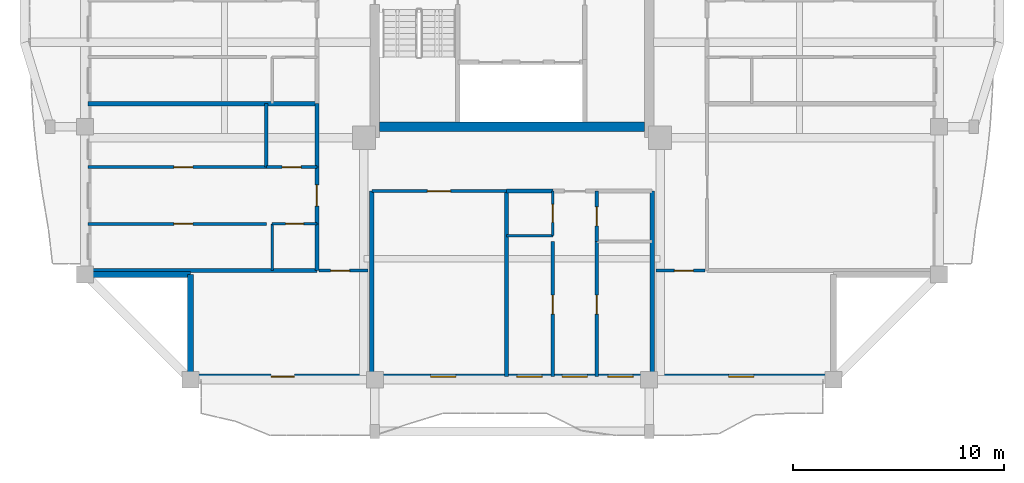
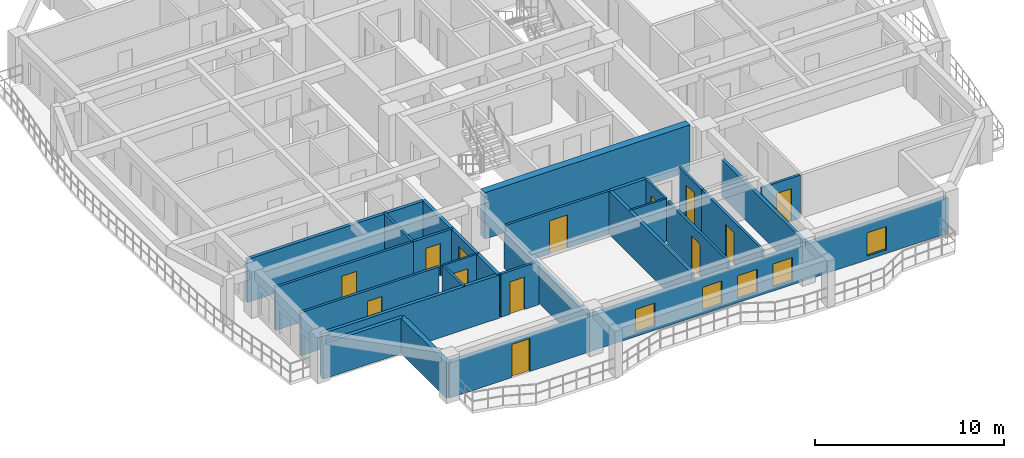
# One storey, part 2 of 13: 27 walls, 13 doors, 5 windows, 18 openings.
"""IFC4 building model written with IfcOpenShell, lengths in metres."""

from ifc_helpers import new_model, si_unit, direction, frame, frame_2d, origin, place, context, subcontext, project, spatial, rectangle, extrude, source, transform, mapped, material, layer, layer_set, type_object, element, fill, save


model = new_model("IFC4")

# Units and contexts
model_context = context("Model", 3, precision=1e-05, world=origin(), true_north=direction((0.0, 1.0)))
body_context = subcontext(model_context, "Body", "Model", "MODEL_VIEW")
ifc_project = project(units=[si_unit("LENGTHUNIT", "METRE"), si_unit("AREAUNIT", "SQUARE_METRE"), si_unit("VOLUMEUNIT", "CUBIC_METRE"), si_unit("PLANEANGLEUNIT", "RADIAN"), si_unit("MASSUNIT", "GRAM", prefix="KILO")], contexts=[model_context])

# Site, building, storey
site_placement = place(None, origin())
site = spatial("IfcSite", under=ifc_project, at=site_placement, CompositionType="ELEMENT")
building_placement = place(site_placement, origin())
building = spatial("IfcBuilding", under=site, at=building_placement, Name="Saelheon Loggia Tower", CompositionType="ELEMENT")
storey_placement = place(building_placement, frame((0.0, 0.0, 189.699951171875)))
storey = spatial("IfcBuildingStorey", under=building, at=storey_placement, Name="L59", CompositionType="ELEMENT", Elevation=189.699951171875)

# Wall
ifc_material_1 = material(Name="Concrete C45/55", Category="concrete")
ifc_layer_1 = layer(ifc_material_1, 0.449951171875)
ifc_layer_set_1 = layer_set([ifc_layer_1], Name="Concrete C45/55")
wall_type_1 = type_object("IfcWallType", Name="Wall_CoreShear_450", PredefinedType="SHEAR", material=ifc_layer_set_1)
wall_1_placement = place(storey_placement, frame((31.72509765625, 18.0, 0.0), z_axis=(0.0, 0.0, 1.0), x_axis=(1.0, 0.0, 0.0)))
element("IfcWall", 1, at=wall_1_placement, inside=storey, type_object=wall_type_1, Name="L59 Core Shear Wall South", PredefinedType="SHEAR", context=body_context, shape_type="SweptSolid", body=[
    extrude(rectangle(XDim=12.5498046875, YDim=0.449951171875, at=frame_2d((6.27490234375, 0.0))), origin(), (0.0, 0.0, 1.0), 3.0),
])

# Wall, openings, windows, door
ifc_material_2 = material(Name="Architectural Precast Concrete C40/50", Category="concrete")
ifc_layer_2 = layer(ifc_material_2, 0.280029296875)
ifc_layer_set_2 = layer_set([ifc_layer_2], Name="Architectural Precast Concrete C40/50")
wall_type_2 = type_object("IfcWallType", Name="Wall_Ext_Loggia_280", PredefinedType="SOLIDWALL", material=ifc_layer_set_2)
wall_2_placement = place(storey_placement, frame((22.75, 6.139892578125, 0.0), z_axis=(0.0, 0.0, 1.0), x_axis=(1.0, 0.0, 0.0)))
wall_2 = element("IfcWall", 2, at=wall_2_placement, inside=storey, type_object=wall_type_2, Name="L59 South Loggia Inner Wall", PredefinedType="SOLIDWALL", context=body_context, shape_type="SweptSolid", body=[
    extrude(rectangle(XDim=30.5, YDim=0.280029296875, at=frame_2d((15.25, 0.0))), origin(), (0.0, 0.0, 1.0), 2.280029296875),
])
opening_1_placement = place(wall_2_placement, frame((4.925048828125, 0.0, 0.0), z_axis=(0.0, 0.0, 1.0), x_axis=(-1.0, 0.0, 0.0)))
opening_1 = element("IfcOpeningElement", 3, at=opening_1_placement, cuts=wall_2, Name="Opening TD1", PredefinedType="OPENING", context=body_context, shape_type="SweptSolid", body=[
    extrude(rectangle(XDim=1.10009765625, YDim=2.14990234375, at=frame_2d((0.550048828125, 1.074951171875))), frame((0.0, 0.152099609375, 0.0), z_axis=(0.0, -1.0, 0.0), x_axis=(1.0, 0.0, 0.0)), (0.0, 0.0, 1.0), 0.303955078125),
])
opening_2_placement = place(wall_2_placement, frame((11.386962890625, 0.0, 0.25)))
opening_2 = element("IfcOpeningElement", 4, at=opening_2_placement, cuts=wall_2, Name="Opening WN-03", PredefinedType="OPENING", context=body_context, shape_type="SweptSolid", body=[
    extrude(rectangle(XDim=1.199951171875, YDim=1.5, at=frame_2d((0.60009765625, 0.75))), frame((0.0, 0.152099609375, 0.0), z_axis=(0.0, -1.0, 0.0), x_axis=(1.0, 0.0, 0.0)), (0.0, 0.0, 1.0), 0.303955078125),
])
opening_3_placement = place(wall_2_placement, frame((15.48388671875, 0.0, 0.25)))
opening_3 = element("IfcOpeningElement", 5, at=opening_3_placement, cuts=wall_2, Name="Opening WN-03", PredefinedType="OPENING", context=body_context, shape_type="SweptSolid", body=[
    extrude(rectangle(XDim=1.199951171875, YDim=1.5, at=frame_2d((0.60009765625, 0.75))), frame((0.0, 0.152099609375, 0.0), z_axis=(0.0, -1.0, 0.0), x_axis=(1.0, 0.0, 0.0)), (0.0, 0.0, 1.0), 0.303955078125),
])
opening_4_placement = place(wall_2_placement, frame((17.6279296875, 0.0, 0.25)))
opening_4 = element("IfcOpeningElement", 6, at=opening_4_placement, cuts=wall_2, Name="Opening WN-03", PredefinedType="OPENING", context=body_context, shape_type="SweptSolid", body=[
    extrude(rectangle(XDim=1.199951171875, YDim=1.5, at=frame_2d((0.60009765625, 0.75))), frame((0.0, 0.152099609375, 0.0), z_axis=(0.0, -1.0, 0.0), x_axis=(1.0, 0.0, 0.0)), (0.0, 0.0, 1.0), 0.303955078125),
])
opening_5_placement = place(wall_2_placement, frame((19.791015625, 0.0, 0.25)))
opening_5 = element("IfcOpeningElement", 7, at=opening_5_placement, cuts=wall_2, Name="Opening WN-03", PredefinedType="OPENING", context=body_context, shape_type="SweptSolid", body=[
    extrude(rectangle(XDim=1.199951171875, YDim=1.5, at=frame_2d((0.60009765625, 0.75))), frame((0.0, 0.152099609375, 0.0), z_axis=(0.0, -1.0, 0.0), x_axis=(1.0, 0.0, 0.0)), (0.0, 0.0, 1.0), 0.303955078125),
])
opening_6_placement = place(wall_2_placement, frame((25.52490234375, 0.0, 0.25)))
opening_6 = element("IfcOpeningElement", 8, at=opening_6_placement, cuts=wall_2, Name="Opening WN-03", PredefinedType="OPENING", context=body_context, shape_type="SweptSolid", body=[
    extrude(rectangle(XDim=1.199951171875, YDim=1.5, at=frame_2d((0.60009765625, 0.75))), frame((0.0, 0.152099609375, 0.0), z_axis=(0.0, -1.0, 0.0), x_axis=(1.0, 0.0, 0.0)), (0.0, 0.0, 1.0), 0.303955078125),
])
ifc_material_3 = material(Name="Thermal-Break Aluminium and Triple Low-E Glass", Category="aluminium")
window_type = type_object("IfcWindowType", Name="Win_Bedroom_1200x1500", PartitioningType="SINGLE_PANEL", PredefinedType="WINDOW", material=ifc_material_3)
shared_shape_1 = source(origin(), body_context, "Body", "SweptSolid", [
    extrude(rectangle(XDim=1.199951171875, YDim=1.5, at=frame_2d((0.60009765625, 0.75))), frame((0.0, 0.030029296875, 0.0), z_axis=(0.0, -1.0, 0.0), x_axis=(1.0, 0.0, 0.0)), (0.0, 0.0, 1.0), 0.06005859375),
])
window_1_placement = place(opening_2_placement, origin())
window_1 = element("IfcWindow", 9, at=window_1_placement, inside=storey, type_object=window_type, Name="L59 S Dwelling Window 2", OverallHeight=1.5, OverallWidth=1.199951171875, PartitioningType="SINGLE_PANEL", PredefinedType="WINDOW", context=body_context, shape_type="MappedRepresentation", body=[
    mapped(shared_shape_1, transform((0.0, 0.0, 0.0), scale=1.0)),
])
fill(opening_2, window_1)
window_2_placement = place(opening_3_placement, origin())
window_2 = element("IfcWindow", 10, at=window_2_placement, inside=storey, type_object=window_type, Name="L59 S Dwelling Window 3", OverallHeight=1.5, OverallWidth=1.199951171875, PartitioningType="SINGLE_PANEL", PredefinedType="WINDOW", context=body_context, shape_type="MappedRepresentation", body=[
    mapped(shared_shape_1, transform((0.0, 0.0, 0.0), scale=1.0)),
])
fill(opening_3, window_2)
window_3_placement = place(opening_4_placement, origin())
window_3 = element("IfcWindow", 11, at=window_3_placement, inside=storey, type_object=window_type, Name="L59 S Dwelling Window 4", OverallHeight=1.5, OverallWidth=1.199951171875, PartitioningType="SINGLE_PANEL", PredefinedType="WINDOW", context=body_context, shape_type="MappedRepresentation", body=[
    mapped(shared_shape_1, transform((0.0, 0.0, 0.0), scale=1.0)),
])
fill(opening_4, window_3)
window_4_placement = place(opening_5_placement, origin())
window_4 = element("IfcWindow", 12, at=window_4_placement, inside=storey, type_object=window_type, Name="L59 S Dwelling Window 5", OverallHeight=1.5, OverallWidth=1.199951171875, PartitioningType="SINGLE_PANEL", PredefinedType="WINDOW", context=body_context, shape_type="MappedRepresentation", body=[
    mapped(shared_shape_1, transform((0.0, 0.0, 0.0), scale=1.0)),
])
fill(opening_5, window_4)
window_5_placement = place(opening_6_placement, origin())
window_5 = element("IfcWindow", 13, at=window_5_placement, inside=storey, type_object=window_type, Name="L59 S Dwelling Window 6", OverallHeight=1.5, OverallWidth=1.199951171875, PartitioningType="SINGLE_PANEL", PredefinedType="WINDOW", context=body_context, shape_type="MappedRepresentation", body=[
    mapped(shared_shape_1, transform((0.0, 0.0, 0.0), scale=1.0)),
])
fill(opening_6, window_5)
ifc_material_4 = material(Name="Thermal-Break Aluminium Glazed Door", Category="aluminium")
door_type_1 = type_object("IfcDoorType", Name="Door_Terrace_TD1", OperationType="NOTDEFINED", PredefinedType="DOOR", material=ifc_material_4)
shared_shape_2 = source(origin(), body_context, "Body", "SweptSolid", [
    extrude(rectangle(XDim=1.10009765625, YDim=2.14990234375, at=frame_2d((0.550048828125, 1.074951171875))), frame((0.0, 0.02490234375, 0.0), z_axis=(0.0, -1.0, 0.0), x_axis=(1.0, 0.0, 0.0)), (0.0, 0.0, 1.0), 0.050048828125),
])
door_1_placement = place(opening_1_placement, origin())
door_1 = element("IfcDoor", 14, at=door_1_placement, inside=storey, type_object=door_type_1, Name="L59 S Loggia Access Door", OperationType="SINGLE_SWING_LEFT", OverallHeight=2.14990234375, OverallWidth=1.10009765625, PredefinedType="DOOR", context=body_context, shape_type="MappedRepresentation", body=[
    mapped(shared_shape_2, transform((0.0, 0.0, 0.0), scale=1.0)),
])
fill(opening_1, door_1)

# Walls
for number, where, z_axis, x_axis, name in (
    (15, (22.75, 6.080078125, 0.0), (0.0, 0.0, 1.0), (0.0, 1.0, 0.0), "L59 Corner Notch Precast Wall SW1"),
    (16, (17.830078125, 11.0, 0.0), (0.0, 0.0, 1.0), (1.0, 0.0, 0.0), "L59 Corner Notch Precast Wall SW2"),
):
    element("IfcWall", number, at=place(storey_placement, frame(where, z_axis=z_axis, x_axis=x_axis)), inside=storey, type_object=wall_type_2, Name=name, PredefinedType="SOLIDWALL", context=body_context, shape_type="SweptSolid", body=[
        extrude(rectangle(XDim=4.919921875, YDim=0.280029296875, at=frame_2d((2.4599609375, 0.0))), origin(), (0.0, 0.0, 1.0), 2.280029296875),
    ])

# Wall, opening, door
ifc_material_5 = material(Name="Lightweight Autoclaved Aerated Concrete Block and Acoustic Gypsum", Category="concrete")
ifc_layer_3 = layer(ifc_material_5, 0.14990234375)
ifc_layer_set_3 = layer_set([ifc_layer_3], Name="Lightweight Autoclaved Aerated Concrete Block and Acoustic Gypsum")
wall_type_3 = type_object("IfcWallType", Name="Wall_Part_150", PredefinedType="PARTITIONING", material=ifc_layer_set_3)
wall_3_placement = place(storey_placement, frame((28.85009765625, 11.179931640625, 0.0), z_axis=(0.0, 0.0, 1.0), x_axis=(1.0, 0.0, 0.0)))
wall_3 = element("IfcWall", 17, at=wall_3_placement, inside=storey, type_object=wall_type_3, Name="PW-L59-CSW-H", PredefinedType="PARTITIONING", context=body_context, shape_type="SweptSolid", body=[
    extrude(rectangle(XDim=2.329833984375, YDim=0.14990234375, at=frame_2d((1.1650390625, 0.0))), origin(), (0.0, 0.0, 1.0), 2.7900390625),
])
opening_7_placement = place(wall_3_placement, frame((0.550048828125, 0.0, 0.0)))
opening_7 = element("IfcOpeningElement", 18, at=opening_7_placement, cuts=wall_3, Name="Opening D-IN2", PredefinedType="OPENING", context=body_context, shape_type="SweptSolid", body=[
    extrude(rectangle(XDim=0.89990234375, YDim=2.10009765625, at=frame_2d((0.449951171875, 1.050048828125))), frame((0.0, 0.0869140625, 0.0), z_axis=(0.0, -1.0, 0.0), x_axis=(1.0, 0.0, 0.0)), (0.0, 0.0, 1.0), 0.173828125),
])
ifc_material_6 = material(Name="Engineered Oak Flush Door", Category="timber")
door_type_2 = type_object("IfcDoorType", Name="Door_Int_900", OperationType="NOTDEFINED", PredefinedType="DOOR", material=ifc_material_6)
shared_shape_3 = source(origin(), body_context, "Body", "SweptSolid", [
    extrude(rectangle(XDim=0.89990234375, YDim=2.10009765625, at=frame_2d((0.449951171875, 1.050048828125))), frame((0.0, 0.02490234375, 0.0), z_axis=(0.0, -1.0, 0.0), x_axis=(1.0, 0.0, 0.0)), (0.0, 0.0, 1.0), 0.050048828125),
])
door_2_placement = place(opening_7_placement, origin())
door_2 = element("IfcDoor", 19, at=door_2_placement, inside=storey, type_object=door_type_2, Name="L59 Corner Home Office SW Door", OperationType="SINGLE_SWING_LEFT", OverallHeight=2.10009765625, OverallWidth=0.89990234375, PredefinedType="DOOR", context=body_context, shape_type="MappedRepresentation", body=[
    mapped(shared_shape_3, transform((0.0, 0.0, 0.0), scale=1.0)),
])
fill(opening_7, door_2)

wall_4_placement = place(storey_placement, frame((44.820068359375, 11.179931640625, 0.0), z_axis=(0.0, 0.0, 1.0), x_axis=(1.0, 0.0, 0.0)))
wall_4 = element("IfcWall", 20, at=wall_4_placement, inside=storey, type_object=wall_type_3, Name="PW-L59-CSE-H", PredefinedType="PARTITIONING", context=body_context, shape_type="SweptSolid", body=[
    extrude(rectangle(XDim=2.329833984375, YDim=0.14990234375, at=frame_2d((1.1650390625, 0.0))), origin(), (0.0, 0.0, 1.0), 2.7900390625),
])
opening_8_placement = place(wall_4_placement, frame((0.8798828125, 0.0, 0.0)))
opening_8 = element("IfcOpeningElement", 21, at=opening_8_placement, cuts=wall_4, Name="Opening D-IN2", PredefinedType="OPENING", context=body_context, shape_type="SweptSolid", body=[
    extrude(rectangle(XDim=0.89990234375, YDim=2.10009765625, at=frame_2d((0.449951171875, 1.050048828125))), frame((0.0, 0.0869140625, 0.0), z_axis=(0.0, -1.0, 0.0), x_axis=(1.0, 0.0, 0.0)), (0.0, 0.0, 1.0), 0.173828125),
])
door_3_placement = place(opening_8_placement, origin())
door_3 = element("IfcDoor", 22, at=door_3_placement, inside=storey, type_object=door_type_2, Name="L59 Corner Reading Room SE Door", OperationType="SINGLE_SWING_LEFT", OverallHeight=2.10009765625, OverallWidth=0.89990234375, PredefinedType="DOOR", context=body_context, shape_type="MappedRepresentation", body=[
    mapped(shared_shape_3, transform((0.0, 0.0, 0.0), scale=1.0)),
])
fill(opening_8, door_3)

wall_5_placement = place(storey_placement, frame((31.35009765625, 14.949951171875, 0.0), z_axis=(0.0, 0.0, 1.0), x_axis=(1.0, 0.0, 0.0)))
wall_5 = element("IfcWall", 23, at=wall_5_placement, inside=storey, type_object=wall_type_3, Name="L59 S Partition V03", PredefinedType="PARTITIONING", context=body_context, shape_type="SweptSolid", body=[
    extrude(rectangle(XDim=6.3837890625, YDim=0.14990234375, at=frame_2d((3.19189453125, 0.0))), origin(), (0.0, 0.0, 1.0), 2.7900390625),
])
opening_9_placement = place(wall_5_placement, frame((2.64208984375, 0.0, 0.0)))
opening_9 = element("IfcOpeningElement", 24, at=opening_9_placement, cuts=wall_5, Name="Opening D-FD2", PredefinedType="OPENING", context=body_context, shape_type="SweptSolid", body=[
    extrude(rectangle(XDim=1.10009765625, YDim=2.14990234375, at=frame_2d((0.550048828125, 1.074951171875))), frame((0.0, 0.0869140625, 0.0), z_axis=(0.0, -1.0, 0.0), x_axis=(1.0, 0.0, 0.0)), (0.0, 0.0, 1.0), 0.173828125),
])
ifc_material_7 = material(Name="Galvanised Steel Fire Door", Category="steel")
door_type_3 = type_object("IfcDoorType", Name="Door_Fire_FD60_1100", OperationType="NOTDEFINED", PredefinedType="DOOR", material=ifc_material_7)
door_4_placement = place(opening_9_placement, origin())
door_4 = element("IfcDoor", 25, at=door_4_placement, inside=storey, type_object=door_type_3, Name="L59 Sky Community Club Hall Door A", OperationType="SINGLE_SWING_LEFT", OverallHeight=2.14990234375, OverallWidth=1.10009765625, PredefinedType="DOOR", context=body_context, shape_type="MappedRepresentation", body=[
    mapped(shared_shape_2, transform((0.0, 0.0, 0.0), scale=1.0)),
])
fill(opening_9, door_4)

wall_6_placement = place(storey_placement, frame((39.93408203125, 12.550048828125, 0.0), z_axis=(0.0, 0.0, 1.0), x_axis=(0.0, -1.0, 0.0)))
wall_6 = element("IfcWall", 26, at=wall_6_placement, inside=storey, type_object=wall_type_3, Name="L59 S Partition U11", PredefinedType="PARTITIONING", context=body_context, shape_type="SweptSolid", body=[
    extrude(rectangle(XDim=6.400146484375, YDim=0.14990234375, at=frame_2d((3.2001953125, 0.0))), origin(), (0.0, 0.0, 1.0), 2.7900390625),
])
opening_10_placement = place(wall_6_placement, frame((2.540771484375, 0.0, 0.0)))
opening_10 = element("IfcOpeningElement", 27, at=opening_10_placement, cuts=wall_6, Name="Opening D-IN2", PredefinedType="OPENING", context=body_context, shape_type="SweptSolid", body=[
    extrude(rectangle(XDim=0.89990234375, YDim=2.10009765625, at=frame_2d((0.449951171875, 1.050048828125))), frame((0.0, 0.0869140625, 0.0), z_axis=(0.0, -1.0, 0.0), x_axis=(1.0, 0.0, 0.0)), (0.0, 0.0, 1.0), 0.173828125),
])
door_5_placement = place(opening_10_placement, origin())
door_5 = element("IfcDoor", 28, at=door_5_placement, inside=storey, type_object=door_type_2, Name="Unit U01 Kitchen Door", OperationType="SINGLE_SWING_RIGHT", OverallHeight=2.10009765625, OverallWidth=0.89990234375, PredefinedType="DOOR", context=body_context, shape_type="MappedRepresentation", body=[
    mapped(shared_shape_3, transform((0.0, 0.0, 0.0), scale=1.0)),
])
fill(opening_10, door_5)

wall_7_placement = place(storey_placement, frame((42.02197265625, 14.949951171875, 0.0), z_axis=(0.0, 0.0, 1.0), x_axis=(0.0, -1.0, 0.0)))
wall_7 = element("IfcWall", 29, at=wall_7_placement, inside=storey, type_object=wall_type_3, Name="L59 S Partition U12", PredefinedType="PARTITIONING", context=body_context, shape_type="SweptSolid", body=[
    extrude(rectangle(XDim=2.39990234375, YDim=0.14990234375, at=frame_2d((1.199951171875, 0.0))), origin(), (0.0, 0.0, 1.0), 2.7900390625),
])
opening_11_placement = place(wall_7_placement, frame((0.75, 0.0, 0.0)))
opening_11 = element("IfcOpeningElement", 30, at=opening_11_placement, cuts=wall_7, Name="Opening D-IN2", PredefinedType="OPENING", context=body_context, shape_type="SweptSolid", body=[
    extrude(rectangle(XDim=0.89990234375, YDim=2.10009765625, at=frame_2d((0.449951171875, 1.050048828125))), frame((0.0, 0.0869140625, 0.0), z_axis=(0.0, -1.0, 0.0), x_axis=(1.0, 0.0, 0.0)), (0.0, 0.0, 1.0), 0.173828125),
])
door_6_placement = place(opening_11_placement, origin())
door_6 = element("IfcDoor", 31, at=door_6_placement, inside=storey, type_object=door_type_2, Name="Unit U01 Dressing Closet Door", OperationType="SINGLE_SWING_LEFT", OverallHeight=2.10009765625, OverallWidth=0.89990234375, PredefinedType="DOOR", context=body_context, shape_type="MappedRepresentation", body=[
    mapped(shared_shape_3, transform((0.0, 0.0, 0.0), scale=1.0)),
])
fill(opening_11, door_6)

wall_8_placement = place(storey_placement, frame((42.02197265625, 12.550048828125, 0.0), z_axis=(0.0, 0.0, 1.0), x_axis=(0.0, -1.0, 0.0)))
wall_8 = element("IfcWall", 32, at=wall_8_placement, inside=storey, type_object=wall_type_3, Name="L59 S Partition U13", PredefinedType="PARTITIONING", context=body_context, shape_type="SweptSolid", body=[
    extrude(rectangle(XDim=6.400146484375, YDim=0.14990234375, at=frame_2d((3.2001953125, 0.0))), origin(), (0.0, 0.0, 1.0), 2.7900390625),
])
opening_12_placement = place(wall_8_placement, frame((2.540771484375, 0.0, 0.0)))
opening_12 = element("IfcOpeningElement", 33, at=opening_12_placement, cuts=wall_8, Name="Opening D-IN2", PredefinedType="OPENING", context=body_context, shape_type="SweptSolid", body=[
    extrude(rectangle(XDim=0.89990234375, YDim=2.10009765625, at=frame_2d((0.449951171875, 1.050048828125))), frame((0.0, 0.0869140625, 0.0), z_axis=(0.0, -1.0, 0.0), x_axis=(1.0, 0.0, 0.0)), (0.0, 0.0, 1.0), 0.173828125),
])
door_7_placement = place(opening_12_placement, origin())
door_7 = element("IfcDoor", 34, at=door_7_placement, inside=storey, type_object=door_type_2, Name="Unit U01 Bedroom 1 Door", OperationType="SINGLE_SWING_RIGHT", OverallHeight=2.10009765625, OverallWidth=0.89990234375, PredefinedType="DOOR", context=body_context, shape_type="MappedRepresentation", body=[
    mapped(shared_shape_3, transform((0.0, 0.0, 0.0), scale=1.0)),
])
fill(opening_12, door_7)

# Wall
wall_9_placement = place(storey_placement, frame((26.35009765625, 16.084228515625, 0.0), z_axis=(0.0, 0.0, 1.0), x_axis=(0.0, 1.0, 0.0)))
element("IfcWall", 35, at=wall_9_placement, inside=storey, type_object=wall_type_3, Name="L59 W Partition V07", PredefinedType="PARTITIONING", context=body_context, shape_type="SweptSolid", body=[
    extrude(rectangle(XDim=3.005859375, YDim=0.14990234375, at=frame_2d((1.5029296875, 0.0))), origin(), (0.0, 0.0, 1.0), 2.7900390625),
])

# Wall, opening, door
wall_10_placement = place(storey_placement, frame((26.35009765625, 13.394775390625, 0.0), z_axis=(0.0, 0.0, 1.0), x_axis=(-1.0, 0.0, 0.0)))
wall_10 = element("IfcWall", 36, at=wall_10_placement, inside=storey, type_object=wall_type_3, Name="L59 W Partition U09", PredefinedType="PARTITIONING", context=body_context, shape_type="SweptSolid", body=[
    extrude(rectangle(XDim=8.4501953125, YDim=0.14990234375, at=frame_2d((4.22509765625, 0.0))), origin(), (0.0, 0.0, 1.0), 2.7900390625),
])
opening_13_placement = place(wall_10_placement, frame((3.48046875, 0.0, 0.0)))
opening_13 = element("IfcOpeningElement", 37, at=opening_13_placement, cuts=wall_10, Name="Opening D-IN2", PredefinedType="OPENING", context=body_context, shape_type="SweptSolid", body=[
    extrude(rectangle(XDim=0.89990234375, YDim=2.10009765625, at=frame_2d((0.449951171875, 1.050048828125))), frame((0.0, 0.0869140625, 0.0), z_axis=(0.0, -1.0, 0.0), x_axis=(1.0, 0.0, 0.0)), (0.0, 0.0, 1.0), 0.173828125),
])
door_8_placement = place(opening_13_placement, origin())
door_8 = element("IfcDoor", 38, at=door_8_placement, inside=storey, type_object=door_type_2, Name="Unit U04 Kitchen Door", OperationType="SINGLE_SWING_RIGHT", OverallHeight=2.10009765625, OverallWidth=0.89990234375, PredefinedType="DOOR", context=body_context, shape_type="MappedRepresentation", body=[
    mapped(shared_shape_3, transform((0.0, 0.0, 0.0), scale=1.0)),
])
fill(opening_13, door_8)

wall_11_placement = place(storey_placement, frame((28.75, 16.084228515625, 0.0), z_axis=(0.0, 0.0, 1.0), x_axis=(-1.0, 0.0, 0.0)))
wall_11 = element("IfcWall", 39, at=wall_11_placement, inside=storey, type_object=wall_type_3, Name="L59 W Partition U10", PredefinedType="PARTITIONING", context=body_context, shape_type="SweptSolid", body=[
    extrude(rectangle(XDim=2.39990234375, YDim=0.14990234375, at=frame_2d((1.199951171875, 0.0))), origin(), (0.0, 0.0, 1.0), 2.7900390625),
])
opening_14_placement = place(wall_11_placement, frame((0.75, 0.0, 0.0)))
opening_14 = element("IfcOpeningElement", 40, at=opening_14_placement, cuts=wall_11, Name="Opening D-IN2", PredefinedType="OPENING", context=body_context, shape_type="SweptSolid", body=[
    extrude(rectangle(XDim=0.89990234375, YDim=2.10009765625, at=frame_2d((0.449951171875, 1.050048828125))), frame((0.0, 0.0869140625, 0.0), z_axis=(0.0, -1.0, 0.0), x_axis=(1.0, 0.0, 0.0)), (0.0, 0.0, 1.0), 0.173828125),
])
door_9_placement = place(opening_14_placement, origin())
door_9 = element("IfcDoor", 41, at=door_9_placement, inside=storey, type_object=door_type_2, Name="Unit U04 Dressing Closet Door", OperationType="SINGLE_SWING_LEFT", OverallHeight=2.10009765625, OverallWidth=0.89990234375, PredefinedType="DOOR", context=body_context, shape_type="MappedRepresentation", body=[
    mapped(shared_shape_3, transform((0.0, 0.0, 0.0), scale=1.0)),
])
fill(opening_14, door_9)

wall_12_placement = place(storey_placement, frame((26.35009765625, 16.084228515625, 0.0), z_axis=(0.0, 0.0, 1.0), x_axis=(-1.0, 0.0, 0.0)))
wall_12 = element("IfcWall", 42, at=wall_12_placement, inside=storey, type_object=wall_type_3, Name="L59 W Partition U11", PredefinedType="PARTITIONING", context=body_context, shape_type="SweptSolid", body=[
    extrude(rectangle(XDim=8.4501953125, YDim=0.14990234375, at=frame_2d((4.22509765625, 0.0))), origin(), (0.0, 0.0, 1.0), 2.7900390625),
])
opening_15_placement = place(wall_12_placement, frame((3.48046875, 0.0, 0.0)))
opening_15 = element("IfcOpeningElement", 43, at=opening_15_placement, cuts=wall_12, Name="Opening D-IN2", PredefinedType="OPENING", context=body_context, shape_type="SweptSolid", body=[
    extrude(rectangle(XDim=0.89990234375, YDim=2.10009765625, at=frame_2d((0.449951171875, 1.050048828125))), frame((0.0, 0.0869140625, 0.0), z_axis=(0.0, -1.0, 0.0), x_axis=(1.0, 0.0, 0.0)), (0.0, 0.0, 1.0), 0.173828125),
])
door_10_placement = place(opening_15_placement, origin())
door_10 = element("IfcDoor", 44, at=door_10_placement, inside=storey, type_object=door_type_2, Name="Unit U04 Bedroom 1 Door", OperationType="SINGLE_SWING_RIGHT", OverallHeight=2.10009765625, OverallWidth=0.89990234375, PredefinedType="DOOR", context=body_context, shape_type="MappedRepresentation", body=[
    mapped(shared_shape_3, transform((0.0, 0.0, 0.0), scale=1.0)),
])
fill(opening_15, door_10)

# Walls
ifc_material_8 = material(Name="Double Acoustic Stud and Fireboard Partition", Category="gypsum")
ifc_layer_4 = layer(ifc_material_8, 0.199951171875)
ifc_layer_set_4 = layer_set([ifc_layer_4], Name="Double Acoustic Stud and Fireboard Partition")
wall_type_4 = type_object("IfcWallType", Name="Wall_Party_200", PredefinedType="PARTITIONING", material=ifc_layer_set_4)
for number, where, z_axis, x_axis, name in (
    (45, (31.35009765625, 14.949951171875, 0.0), (0.0, 0.0, 1.0), (0.0, -1.0, 0.0), "L59 S Partition U01"),
    (46, (44.64990234375, 14.949951171875, 0.0), (0.0, 0.0, 1.0), (0.0, -1.0, 0.0), "L59 S Partition U02"),
):
    element("IfcWall", number, at=place(storey_placement, frame(where, z_axis=z_axis, x_axis=x_axis)), inside=storey, type_object=wall_type_4, Name=name, PredefinedType="PARTITIONING", context=body_context, shape_type="SweptSolid", body=[
        extrude(rectangle(XDim=8.800048828125, YDim=0.199951171875, at=frame_2d((4.39990234375, 0.0))), origin(), (0.0, 0.0, 1.0), 2.39013671875),
    ])
wall_13_placement = place(storey_placement, frame((37.73388671875, 14.949951171875, 0.0), z_axis=(0.0, 0.0, 1.0), x_axis=(0.0, -1.0, 0.0)))
element("IfcWall", 47, at=wall_13_placement, inside=storey, type_object=wall_type_4, Name="L59 S Partition U04", PredefinedType="PARTITIONING", context=body_context, shape_type="SweptSolid", body=[
    extrude(rectangle(XDim=8.800048828125, YDim=0.199951171875, at=frame_2d((4.39990234375, 0.0))), origin(), (0.0, 0.0, 1.0), 2.7900390625),
])
wall_14_placement = place(storey_placement, frame((37.73388671875, 14.949951171875, 0.0), z_axis=(0.0, 0.0, 1.0), x_axis=(1.0, 0.0, 0.0)))
element("IfcWall", 48, at=wall_14_placement, inside=storey, type_object=wall_type_4, Name="L59 S Partition V05", PredefinedType="PARTITIONING", context=body_context, shape_type="SweptSolid", body=[
    extrude(rectangle(XDim=2.2001953125, YDim=0.199951171875, at=frame_2d((1.10009765625, 0.0))), origin(), (0.0, 0.0, 1.0), 2.7900390625),
])
wall_15_placement = place(storey_placement, frame((28.75, 11.179931640625, 0.0), z_axis=(0.0, 0.0, 1.0), x_axis=(-1.0, 0.0, 0.0)))
element("IfcWall", 49, at=wall_15_placement, inside=storey, type_object=wall_type_4, Name="L59 W Partition U01", PredefinedType="PARTITIONING", context=body_context, shape_type="SweptSolid", body=[
    extrude(rectangle(XDim=10.85009765625, YDim=0.199951171875, at=frame_2d((5.425048828125, 0.0))), origin(), (0.0, 0.0, 1.0), 2.7900390625),
])
wall_16_placement = place(storey_placement, frame((28.75, 11.179931640625, 0.0), z_axis=(0.0, 0.0, 1.0), x_axis=(0.0, 1.0, 0.0)))
element("IfcWall", 50, at=wall_16_placement, inside=storey, type_object=wall_type_4, Name="L59 W Partition V03", PredefinedType="PARTITIONING", context=body_context, shape_type="SweptSolid", body=[
    extrude(rectangle(XDim=2.21484375, YDim=0.199951171875, at=frame_2d((1.107421875, 0.0))), origin(), (0.0, 0.0, 1.0), 2.7900390625),
])

# Wall, opening, door
wall_17_placement = place(storey_placement, frame((28.75, 13.394775390625, 0.0), z_axis=(0.0, 0.0, 1.0), x_axis=(0.0, 1.0, 0.0)))
wall_17 = element("IfcWall", 51, at=wall_17_placement, inside=storey, type_object=wall_type_4, Name="L59 W Partition V04", PredefinedType="PARTITIONING", context=body_context, shape_type="SweptSolid", body=[
    extrude(rectangle(XDim=2.689453125, YDim=0.199951171875, at=frame_2d((1.3447265625, 0.0))), origin(), (0.0, 0.0, 1.0), 2.7900390625),
])
opening_16_placement = place(wall_17_placement, frame((0.8447265625, 0.0, 0.0)))
opening_16 = element("IfcOpeningElement", 52, at=opening_16_placement, cuts=wall_17, Name="Opening D-FD1", PredefinedType="OPENING", context=body_context, shape_type="SweptSolid", body=[
    extrude(rectangle(XDim=1.0, YDim=2.14990234375, at=frame_2d((0.5, 1.074951171875))), frame((0.0, 0.112060546875, 0.0), z_axis=(0.0, -1.0, 0.0), x_axis=(1.0, 0.0, 0.0)), (0.0, 0.0, 1.0), 0.223876953125),
])
ifc_material_9 = material(Name="Fire-Rated Engineered Timber Entrance Door", Category="wood")
door_type_4 = type_object("IfcDoorType", Name="Door_Flat_FD30S", OperationType="NOTDEFINED", PredefinedType="DOOR", material=ifc_material_9)
shared_shape_4 = source(origin(), body_context, "Body", "SweptSolid", [
    extrude(rectangle(XDim=1.0, YDim=2.14990234375, at=frame_2d((0.5, 1.074951171875))), frame((0.0, 0.02490234375, 0.0), z_axis=(0.0, -1.0, 0.0), x_axis=(1.0, 0.0, 0.0)), (0.0, 0.0, 1.0), 0.050048828125),
])
door_11_placement = place(opening_16_placement, origin())
door_11 = element("IfcDoor", 53, at=door_11_placement, inside=storey, type_object=door_type_4, Name="Unit U04 Entrance Door", OperationType="SINGLE_SWING_RIGHT", OverallHeight=2.14990234375, OverallWidth=1.0, PredefinedType="DOOR", context=body_context, shape_type="MappedRepresentation", body=[
    mapped(shared_shape_4, transform((0.0, 0.0, 0.0), scale=1.0)),
])
fill(opening_16, door_11)

# Walls
wall_18_placement = place(storey_placement, frame((28.75, 16.084228515625, 0.0), z_axis=(0.0, 0.0, 1.0), x_axis=(0.0, 1.0, 0.0)))
element("IfcWall", 54, at=wall_18_placement, inside=storey, type_object=wall_type_4, Name="L59 W Partition V05", PredefinedType="PARTITIONING", context=body_context, shape_type="SweptSolid", body=[
    extrude(rectangle(XDim=3.005859375, YDim=0.199951171875, at=frame_2d((1.5029296875, 0.0))), origin(), (0.0, 0.0, 1.0), 2.7900390625),
])
wall_19_placement = place(storey_placement, frame((28.75, 19.090087890625, 0.0), z_axis=(0.0, 0.0, 1.0), x_axis=(-1.0, 0.0, 0.0)))
element("IfcWall", 55, at=wall_19_placement, inside=storey, type_object=wall_type_4, Name="L59 W Partition U12", PredefinedType="PARTITIONING", context=body_context, shape_type="SweptSolid", body=[
    extrude(rectangle(XDim=10.85009765625, YDim=0.199951171875, at=frame_2d((5.425048828125, 0.0))), origin(), (0.0, 0.0, 1.0), 2.7900390625),
])
ifc_material_10 = material(Name="Moisture-Resistant Cement Board Partition", Category="gypsum")
ifc_layer_5 = layer(ifc_material_10, 0.1201171875)
ifc_layer_set_5 = layer_set([ifc_layer_5], Name="Moisture-Resistant Cement Board Partition")
wall_type_5 = type_object("IfcWallType", Name="Wall_WetPart_120", PredefinedType="PARTITIONING", material=ifc_layer_set_5)
wall_20_placement = place(storey_placement, frame((37.73388671875, 12.830078125, 0.0), z_axis=(0.0, 0.0, 1.0), x_axis=(1.0, 0.0, 0.0)))
element("IfcWall", 56, at=wall_20_placement, inside=storey, type_object=wall_type_5, Name="L59 S Partition V08", PredefinedType="PARTITIONING", context=body_context, shape_type="SweptSolid", body=[
    extrude(rectangle(XDim=2.2001953125, YDim=0.1201171875, at=frame_2d((1.10009765625, 0.0))), origin(), (0.0, 0.0, 1.0), 2.7900390625),
])

# Wall, opening, door
wall_21_placement = place(storey_placement, frame((39.93408203125, 14.949951171875, 0.0), z_axis=(0.0, 0.0, 1.0), x_axis=(0.0, -1.0, 0.0)))
wall_21 = element("IfcWall", 57, at=wall_21_placement, inside=storey, type_object=wall_type_5, Name="L59 S Partition U10", PredefinedType="PARTITIONING", context=body_context, shape_type="SweptSolid", body=[
    extrude(rectangle(XDim=2.119873046875, YDim=0.1201171875, at=frame_2d((1.06005859375, 0.0))), origin(), (0.0, 0.0, 1.0), 2.7900390625),
])
opening_17_placement = place(wall_21_placement, frame((0.635009765625, 0.0, 0.0)))
opening_17 = element("IfcOpeningElement", 58, at=opening_17_placement, cuts=wall_21, Name="Opening D-BT1", PredefinedType="OPENING", context=body_context, shape_type="SweptSolid", body=[
    extrude(rectangle(XDim=0.85009765625, YDim=2.050048828125, at=frame_2d((0.425048828125, 1.02490234375))), frame((0.0, 0.072021484375, 0.0), z_axis=(0.0, -1.0, 0.0), x_axis=(1.0, 0.0, 0.0)), (0.0, 0.0, 1.0), 0.14404296875),
])
ifc_material_11 = material(Name="Moisture-Resistant Laminate Timber Door", Category="wood")
door_type_5 = type_object("IfcDoorType", Name="Door_Bath_850", OperationType="NOTDEFINED", PredefinedType="DOOR", material=ifc_material_11)
shared_shape_5 = source(origin(), body_context, "Body", "SweptSolid", [
    extrude(rectangle(XDim=0.85009765625, YDim=2.050048828125, at=frame_2d((0.425048828125, 1.02490234375))), frame((0.0, 0.02490234375, 0.0), z_axis=(0.0, -1.0, 0.0), x_axis=(1.0, 0.0, 0.0)), (0.0, 0.0, 1.0), 0.050048828125),
])
door_12_placement = place(opening_17_placement, origin())
door_12 = element("IfcDoor", 59, at=door_12_placement, inside=storey, type_object=door_type_5, Name="Unit U01 Bathroom Door", OperationType="SINGLE_SWING_LEFT", OverallHeight=2.050048828125, OverallWidth=0.85009765625, PredefinedType="DOOR", context=body_context, shape_type="MappedRepresentation", body=[
    mapped(shared_shape_5, transform((0.0, 0.0, 0.0), scale=1.0)),
])
fill(opening_17, door_12)

# Wall
wall_22_placement = place(storey_placement, frame((26.6298828125, 11.179931640625, 0.0), z_axis=(0.0, 0.0, 1.0), x_axis=(0.0, 1.0, 0.0)))
element("IfcWall", 60, at=wall_22_placement, inside=storey, type_object=wall_type_5, Name="L59 W Partition V06", PredefinedType="PARTITIONING", context=body_context, shape_type="SweptSolid", body=[
    extrude(rectangle(XDim=2.21484375, YDim=0.1201171875, at=frame_2d((1.107421875, 0.0))), origin(), (0.0, 0.0, 1.0), 2.7900390625),
])

# Wall, opening, door
wall_23_placement = place(storey_placement, frame((28.75, 13.394775390625, 0.0), z_axis=(0.0, 0.0, 1.0), x_axis=(-1.0, 0.0, 0.0)))
wall_23 = element("IfcWall", 61, at=wall_23_placement, inside=storey, type_object=wall_type_5, Name="L59 W Partition U08", PredefinedType="PARTITIONING", context=body_context, shape_type="SweptSolid", body=[
    extrude(rectangle(XDim=2.1201171875, YDim=0.1201171875, at=frame_2d((1.06005859375, 0.0))), origin(), (0.0, 0.0, 1.0), 2.7900390625),
])
opening_18_placement = place(wall_23_placement, frame((0.635009765625, 0.0, 0.0)))
opening_18 = element("IfcOpeningElement", 62, at=opening_18_placement, cuts=wall_23, Name="Opening D-BT1", PredefinedType="OPENING", context=body_context, shape_type="SweptSolid", body=[
    extrude(rectangle(XDim=0.85009765625, YDim=2.050048828125, at=frame_2d((0.425048828125, 1.02490234375))), frame((0.0, 0.072021484375, 0.0), z_axis=(0.0, -1.0, 0.0), x_axis=(1.0, 0.0, 0.0)), (0.0, 0.0, 1.0), 0.14404296875),
])
door_13_placement = place(opening_18_placement, origin())
door_13 = element("IfcDoor", 63, at=door_13_placement, inside=storey, type_object=door_type_5, Name="Unit U04 Bathroom Door", OperationType="SINGLE_SWING_LEFT", OverallHeight=2.050048828125, OverallWidth=0.85009765625, PredefinedType="DOOR", context=body_context, shape_type="MappedRepresentation", body=[
    mapped(shared_shape_5, transform((0.0, 0.0, 0.0), scale=1.0)),
])
fill(opening_18, door_13)

save(model, "model.ifc")
